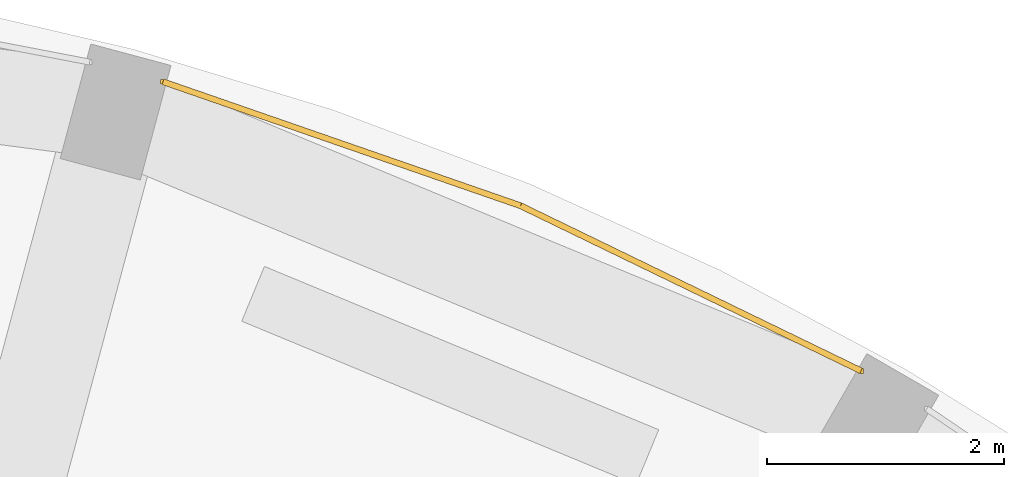
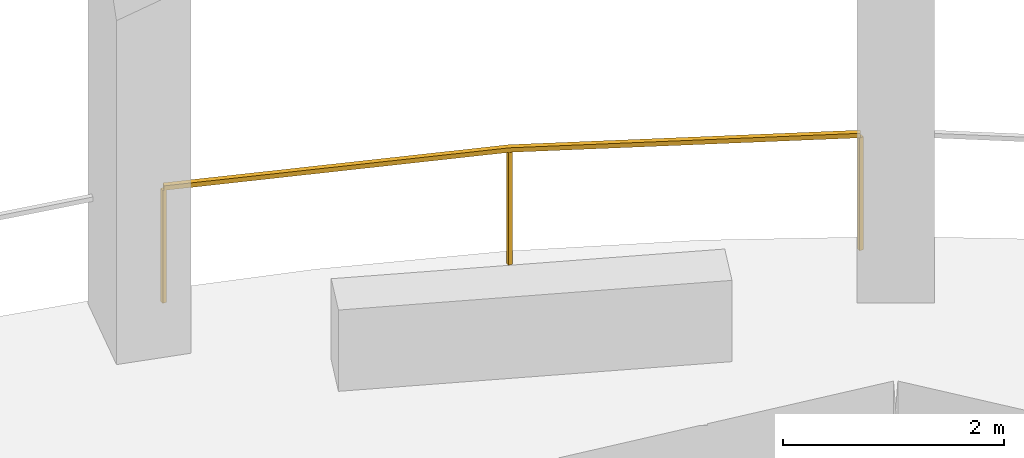
# One storey, part 9 of 9: 1 railing.
"""IFC4 building model written with IfcOpenShell, lengths in metres."""

from ifc_helpers import new_model, si_unit, direction, frame, origin, origin_2d, place, context, subcontext, project, spatial, rectangle, extrude, material, type_object, element, save


model = new_model("IFC4")

# Units and contexts
model_context = context("Model", 3, precision=1e-05, world=origin(), true_north=direction((0.0, 1.0)))
body_context = subcontext(model_context, "Body", "Model", "MODEL_VIEW")
ifc_project = project(units=[si_unit("LENGTHUNIT", "METRE"), si_unit("AREAUNIT", "SQUARE_METRE"), si_unit("VOLUMEUNIT", "CUBIC_METRE"), si_unit("PLANEANGLEUNIT", "RADIAN"), si_unit("MASSUNIT", "GRAM", prefix="KILO")], contexts=[model_context])

# Site, building, storey
site_placement = place(None, origin())
site = spatial("IfcSite", under=ifc_project, at=site_placement, CompositionType="ELEMENT")
building_placement = place(site_placement, origin())
building = spatial("IfcBuilding", under=site, at=building_placement, Name="Torre Triforio", CompositionType="ELEMENT")
storey_placement = place(building_placement, frame((0.0, 0.0, 55.0)))
storey = spatial("IfcBuildingStorey", under=building, at=storey_placement, Name="L11", CompositionType="ELEMENT", Elevation=55.0)

# Railing
ifc_material = material(Name="Stainless steel AISI 316", Category="steel")
railing_type = type_object("IfcRailingType", Name="Loggia guard 1300", PredefinedType="GUARDRAIL", material=ifc_material)
railing_placement = place(storey_placement, frame((13.14794921875, 23.412841796875, 0.0)))
element("IfcRailing", 1, at=railing_placement, inside=storey, type_object=railing_type, Name="Loggia guard L11 bay 05", PredefinedType="GUARDRAIL", context=body_context, shape_type="SweptSolid", body=[
    extrude(rectangle(XDim=0.050048828125, YDim=0.050048828125, at=origin_2d()), frame((0.0, 0.0, 1.27490234375), z_axis=(-0.899760432952, 0.436384192305, 0.0), x_axis=(-0.436384192305, -0.899760432952, 0.0)), (0.0, 0.0, 1.0), 3.19287109375),
    extrude(rectangle(XDim=0.050048828125, YDim=0.050048828125, at=origin_2d()), frame((-2.872802734375, 1.393310546875, 1.27490234375), z_axis=(-0.94480685358, 0.327627852034, 0.0), x_axis=(-0.327627852034, -0.94480685358, 0.0)), (0.0, 0.0, 1.0), 3.193115234375),
    extrude(rectangle(XDim=0.0400390625, YDim=0.0400390625, at=origin_2d()), origin(), (0.0, 0.0, 1.0), 1.25),
    extrude(rectangle(XDim=0.0400390625, YDim=0.0400390625, at=origin_2d()), frame((-2.872802734375, 1.393310546875, 0.0)), (0.0, 0.0, 1.0), 1.25),
    extrude(rectangle(XDim=0.0400390625, YDim=0.0400390625, at=origin_2d()), frame((-5.8896484375, 2.439453125, 0.0)), (0.0, 0.0, 1.0), 1.25),
])

save(model, "model.ifc")
